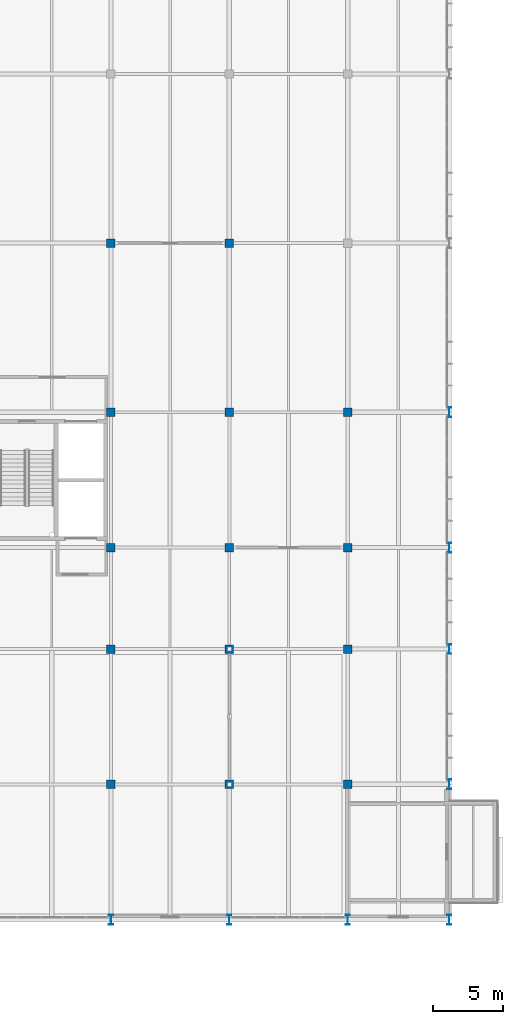
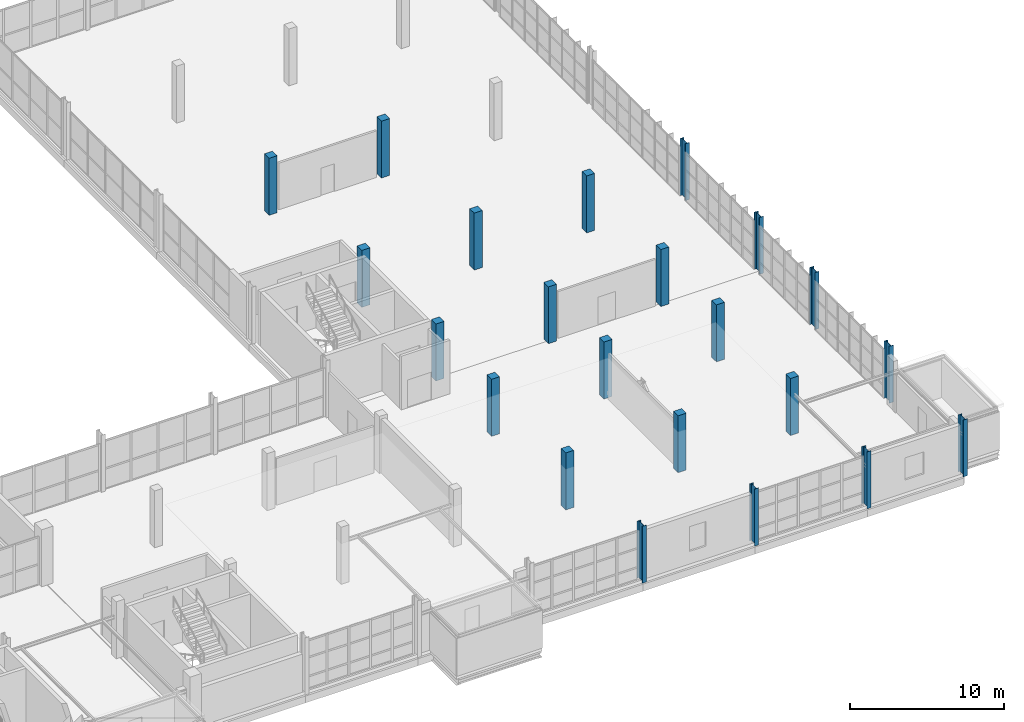
# One storey, part 11 of 113: 22 columns.
"""IFC4 building model written with IfcOpenShell, lengths in metres."""

from ifc_helpers import new_model, si_unit, direction, frame, origin, origin_2d, place, context, subcontext, project, spatial, rectangle, i_section, extrude, material, material_profile, profile_set, type_object, element, save


model = new_model("IFC4")

# Units and contexts
model_context = context("Model", 3, precision=1e-05, world=origin(), true_north=direction((0.0, 1.0)))
body_context = subcontext(model_context, "Body", "Model", "MODEL_VIEW")
ifc_project = project(units=[si_unit("LENGTHUNIT", "METRE"), si_unit("AREAUNIT", "SQUARE_METRE"), si_unit("VOLUMEUNIT", "CUBIC_METRE"), si_unit("PLANEANGLEUNIT", "RADIAN"), si_unit("MASSUNIT", "GRAM", prefix="KILO")], contexts=[model_context])

# Site, building, storey
site_placement = place(None, origin())
site = spatial("IfcSite", under=ifc_project, at=site_placement, CompositionType="ELEMENT")
building_placement = place(site_placement, origin())
building = spatial("IfcBuilding", under=site, at=building_placement, Name="Veltarok Museum of Natural Sciences", CompositionType="ELEMENT")
storey_placement = place(building_placement, frame((0.0, 0.0, 8.39990234375)))
storey = spatial("IfcBuildingStorey", under=building, at=storey_placement, Name="L01", CompositionType="ELEMENT", Elevation=8.39990234375)

# Columns
ifc_material_1 = material(Name="Concrete C40/50", Category="concrete")
ifc_material_profile_1 = material_profile(ifc_material_1, rectangle(XDim=0.60009765625, YDim=0.60009765625, at=origin_2d()), Name="RC 600x600")
ifc_profile_set_1 = profile_set([ifc_material_profile_1], Name="Concrete C40/50")
column_type_1 = type_object("IfcColumnType", Name="Conservation Wing Column RC 600x600", PredefinedType="COLUMN", material=ifc_profile_set_1)
for number, where, z_axis, x_axis, name in (
    (1, (140.800048828125, 9.60009765625, 0.0), (0.0, 0.0, 1.0), (1.0, 0.0, 0.0), "Column COL-RC02 L01 17/B"),
    (2, (140.800048828125, 19.199951171875, 0.0), (0.0, 0.0, 1.0), (1.0, 0.0, 0.0), "Column COL-RC02 L01 17/C"),
    (3, (140.800048828125, 26.39990234375, 0.0), (0.0, 0.0, 1.0), (1.0, 0.0, 0.0), "Column COL-RC02 L01 17/D"),
    (4, (140.800048828125, 36.0, 0.0), (0.0, 0.0, 1.0), (1.0, 0.0, 0.0), "Column COL-RC02 L01 17/E"),
    (5, (140.800048828125, 48.0, 0.0), (0.0, 0.0, 1.0), (1.0, 0.0, 0.0), "Column COL-RC02 L01 17/F"),
    (6, (149.199951171875, 9.60009765625, 0.0), (0.0, 0.0, 1.0), (1.0, 0.0, 0.0), "Column COL-RC02 L01 18/B"),
    (7, (149.199951171875, 19.199951171875, 0.0), (0.0, 0.0, 1.0), (1.0, 0.0, 0.0), "Column COL-RC02 L01 18/C"),
    (8, (149.199951171875, 26.39990234375, 0.0), (0.0, 0.0, 1.0), (1.0, 0.0, 0.0), "Column COL-RC02 L01 18/D"),
    (9, (149.199951171875, 36.0, 0.0), (0.0, 0.0, 1.0), (1.0, 0.0, 0.0), "Column COL-RC02 L01 18/E"),
    (10, (149.199951171875, 48.0, 0.0), (0.0, 0.0, 1.0), (1.0, 0.0, 0.0), "Column COL-RC02 L01 18/F"),
    (11, (157.60009765625, 9.60009765625, 0.0), (0.0, 0.0, 1.0), (1.0, 0.0, 0.0), "Column COL-RC02 L01 19/B"),
    (12, (157.60009765625, 19.199951171875, 0.0), (0.0, 0.0, 1.0), (1.0, 0.0, 0.0), "Column COL-RC02 L01 19/C"),
    (13, (157.60009765625, 26.39990234375, 0.0), (0.0, 0.0, 1.0), (1.0, 0.0, 0.0), "Column COL-RC02 L01 19/D"),
    (14, (157.60009765625, 36.0, 0.0), (0.0, 0.0, 1.0), (1.0, 0.0, 0.0), "Column COL-RC02 L01 19/E"),
):
    element("IfcColumn", number, at=place(storey_placement, frame(where, z_axis=z_axis, x_axis=x_axis)), inside=storey, type_object=column_type_1, Name=name, PredefinedType="COLUMN", context=body_context, shape_type="SweptSolid", body=[
        extrude(rectangle(XDim=0.60009765625, YDim=0.60009765625, at=origin_2d()), origin(), (0.0, 0.0, 1.0), 4.5),
    ])
ifc_material_2 = material(Name="Steel S355J2", Category="steel")
ifc_material_profile_2 = material_profile(ifc_material_2, i_section(OverallWidth=0.300048828125, OverallDepth=0.699951171875, WebThickness=0.01708984375, FlangeThickness=0.031982421875, FilletRadius=0.027099609375, at=origin_2d()), Name="HEB 700")
ifc_profile_set_2 = profile_set([ifc_material_profile_2], Name="Steel S355J2")
column_type_2 = type_object("IfcColumnType", Name="Perimeter Steel Column HEB 700", PredefinedType="COLUMN", material=ifc_profile_set_2)
for number, where, z_axis, x_axis, name in (
    (15, (140.800048828125, 0.0, 0.0), (0.0, 0.0, 1.0), (1.0, 0.0, 0.0), "Column COL-EXT01 L01 17/A"),
    (16, (149.199951171875, 0.0, 0.0), (0.0, 0.0, 1.0), (1.0, 0.0, 0.0), "Column COL-EXT01 L01 18/A"),
    (17, (157.60009765625, 0.0, 0.0), (0.0, 0.0, 1.0), (1.0, 0.0, 0.0), "Column COL-EXT01 L01 19/A"),
    (18, (164.800048828125, 0.0, 0.0), (0.0, 0.0, 1.0), (1.0, 0.0, 0.0), "Column COL-EXT01 L01 20/A"),
    (19, (164.800048828125, 9.60009765625, 0.0), (0.0, 0.0, 1.0), (1.0, 0.0, 0.0), "Column COL-EXT01 L01 20/B"),
    (20, (164.800048828125, 19.199951171875, 0.0), (0.0, 0.0, 1.0), (1.0, 0.0, 0.0), "Column COL-EXT01 L01 20/C"),
    (21, (164.800048828125, 26.39990234375, 0.0), (0.0, 0.0, 1.0), (1.0, 0.0, 0.0), "Column COL-EXT01 L01 20/D"),
    (22, (164.800048828125, 36.0, 0.0), (0.0, 0.0, 1.0), (1.0, 0.0, 0.0), "Column COL-EXT01 L01 20/E"),
):
    element("IfcColumn", number, at=place(storey_placement, frame(where, z_axis=z_axis, x_axis=x_axis)), inside=storey, type_object=column_type_2, Name=name, PredefinedType="COLUMN", context=body_context, shape_type="SweptSolid", body=[
        extrude(i_section(OverallWidth=0.300048828125, OverallDepth=0.699951171875, WebThickness=0.01708984375, FlangeThickness=0.031982421875, FilletRadius=0.027099609375, at=origin_2d()), origin(), (0.0, 0.0, 1.0), 4.5),
    ])

save(model, "model.ifc")
